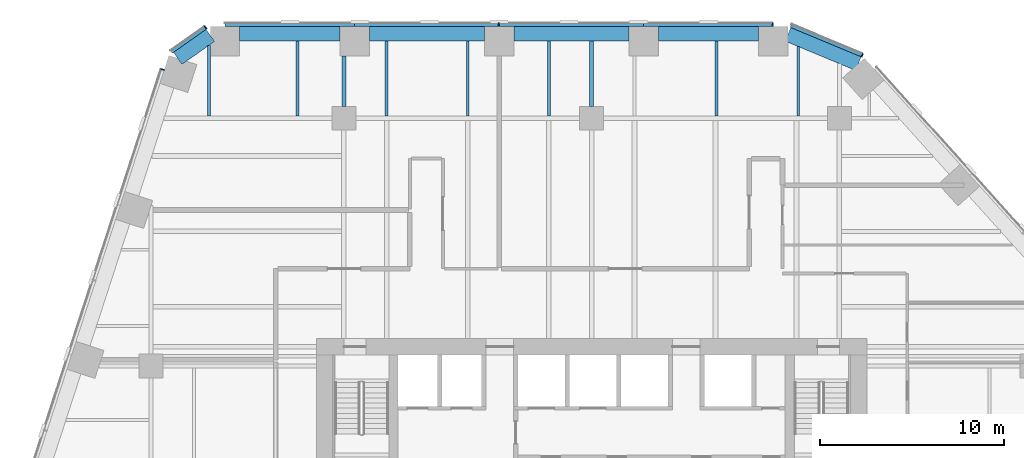
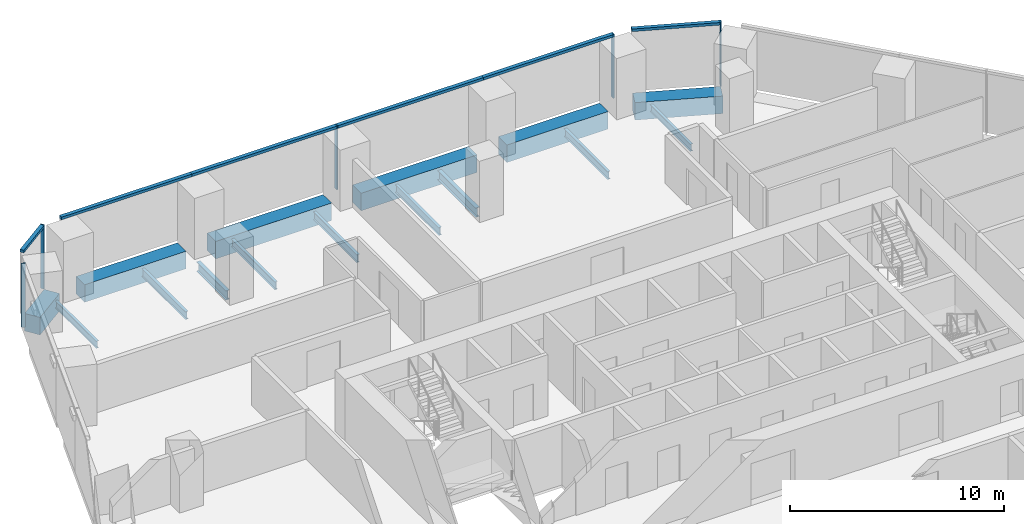
# One storey, part 12 of 21: 15 beams, 11 members, 4 elements without a shape of their own.
"""IFC4 building model written with IfcOpenShell, lengths in metres."""

from ifc_helpers import new_model, si_unit, direction, frame, origin, origin_2d, place, context, subcontext, project, spatial, rectangle, i_section, extrude, material, layer, layer_set, material_profile, profile_set, type_object, element, aggregate, save


model = new_model("IFC4")

# Units and contexts
model_context = context("Model", 3, precision=1e-05, world=origin(), true_north=direction((0.0, 1.0)))
body_context = subcontext(model_context, "Body", "Model", "MODEL_VIEW")
ifc_project = project(units=[si_unit("LENGTHUNIT", "METRE"), si_unit("AREAUNIT", "SQUARE_METRE"), si_unit("VOLUMEUNIT", "CUBIC_METRE"), si_unit("PLANEANGLEUNIT", "RADIAN"), si_unit("MASSUNIT", "GRAM", prefix="KILO")], contexts=[model_context])

# Site, building, storey
site_placement = place(None, origin())
site = spatial("IfcSite", under=ifc_project, at=site_placement, CompositionType="ELEMENT")
building_placement = place(site_placement, origin())
building = spatial("IfcBuilding", under=site, at=building_placement, Name="Isthmus Gate Tower", CompositionType="ELEMENT")
storey_placement = place(building_placement, frame((0.0, 0.0, 109.85009765625)))
storey = spatial("IfcBuildingStorey", under=building, at=storey_placement, Name="L26", CompositionType="ELEMENT", Elevation=109.85009765625)

# Curtain wall, members
ifc_material_1 = material(Name="Aluminium, pale champagne anodised", Category="aluminium")
ifc_layer = layer(ifc_material_1, 0.199951171875)
ifc_layer_set = layer_set([ifc_layer], Name="CW-1 UNITISED CURTAIN WALL 200 DEEP")
curtain_wall_type = type_object("IfcCurtainWallType", Name="CW-1 UNITISED CURTAIN WALL 200 DEEP", PredefinedType="NOTDEFINED", material=ifc_layer_set)
curtain_wall_1_placement = place(storey_placement, origin())
curtain_wall_1 = element("IfcCurtainWall", 1, at=curtain_wall_1_placement, inside=storey, type_object=curtain_wall_type, Name="CW-1 N L26", PredefinedType="NOTDEFINED")
ifc_material_2 = material(Name="Aluminium, pale champagne anodised", Category="aluminium")
ifc_material_profile_1 = material_profile(ifc_material_2, rectangle(XDim=0.06005859375, YDim=0.199951171875, at=origin_2d()), Name="60x200")
ifc_profile_set_1 = profile_set([ifc_material_profile_1], Name="Aluminium, pale champagne anodised")
member_type_1 = type_object("IfcMemberType", Name="CW-1 MULLION 60 X 200", PredefinedType="MULLION", material=ifc_profile_set_1)
member_1_placement = place(storey_placement, frame((9.871826171875, 32.10009765625, 0.0), z_axis=(0.0, 0.0, 1.0), x_axis=(-1.0, 0.0, 0.0)))
member_1 = element("IfcMember", 2, at=member_1_placement, type_object=member_type_1, Name="CW-1 mullion", PredefinedType="MULLION", context=body_context, shape_type="SweptSolid", body=[
    extrude(rectangle(XDim=0.06005859375, YDim=0.199951171875, at=origin_2d()), origin(), (0.0, 0.0, 1.0), 3.64990234375),
])
member_2_placement = place(storey_placement, frame((-5.067138671875, 32.10009765625, 0.0), z_axis=(0.0, 0.0, 1.0), x_axis=(-1.0, 0.0, 0.0)))
member_2 = element("IfcMember", 3, at=member_2_placement, type_object=member_type_1, Name="CW-1 mullion", PredefinedType="MULLION", context=body_context, shape_type="SweptSolid", body=[
    extrude(rectangle(XDim=0.06005859375, YDim=0.199951171875, at=origin_2d()), origin(), (0.0, 0.0, 1.0), 3.64990234375),
])

# Curtain wall, member
curtain_wall_2_placement = place(storey_placement, origin())
curtain_wall_2 = element("IfcCurtainWall", 4, at=curtain_wall_2_placement, inside=storey, type_object=curtain_wall_type, Name="CW-1 N-NW L26", PredefinedType="NOTDEFINED")
member_3_placement = place(storey_placement, frame((-21.031005859375, 31.943115234375, 0.0), z_axis=(0.0, 0.0, 1.0), x_axis=(-0.81785959165, -0.57541783805, 0.0)))
member_3 = element("IfcMember", 5, at=member_3_placement, type_object=member_type_1, Name="CW-1 mullion", PredefinedType="MULLION", context=body_context, shape_type="SweptSolid", body=[
    extrude(rectangle(XDim=0.06005859375, YDim=0.199951171875, at=origin_2d()), origin(), (0.0, 0.0, 1.0), 3.64990234375),
])

curtain_wall_3_placement = place(storey_placement, origin())
curtain_wall_3 = element("IfcCurtainWall", 6, at=curtain_wall_3_placement, inside=storey, type_object=curtain_wall_type, Name="CW-1 NW L26", PredefinedType="NOTDEFINED")
member_4_placement = place(storey_placement, frame((-23.380615234375, 29.656494140625, 0.0), z_axis=(0.0, 0.0, 1.0), x_axis=(-0.309016994375, -0.951056516295, 0.0)))
member_4 = element("IfcMember", 7, at=member_4_placement, type_object=member_type_1, Name="CW-1 mullion", PredefinedType="MULLION", context=body_context, shape_type="SweptSolid", body=[
    extrude(rectangle(XDim=0.06005859375, YDim=0.199951171875, at=origin_2d()), origin(), (0.0, 0.0, 1.0), 3.64990234375),
])
aggregate(curtain_wall_3, [member_4])

curtain_wall_4_placement = place(storey_placement, origin())
curtain_wall_4 = element("IfcCurtainWall", 8, at=curtain_wall_4_placement, inside=storey, type_object=curtain_wall_type, Name="CW-1 NE-N L26", PredefinedType="NOTDEFINED")
member_5_placement = place(storey_placement, frame((14.744140625, 30.427490234375, 0.0), z_axis=(0.0, 0.0, 1.0), x_axis=(-0.923353128387, 0.383951820282, 0.0)))
member_5 = element("IfcMember", 9, at=member_5_placement, type_object=member_type_1, Name="CW-1 mullion", PredefinedType="MULLION", context=body_context, shape_type="SweptSolid", body=[
    extrude(rectangle(XDim=0.06005859375, YDim=0.199951171875, at=origin_2d()), origin(), (0.0, 0.0, 1.0), 3.64990234375),
])

# Member
ifc_material_3 = material(Name="Aluminium, pale champagne anodised", Category="aluminium")
ifc_material_profile_2 = material_profile(ifc_material_3, rectangle(XDim=0.199951171875, YDim=0.14990234375, at=origin_2d()), Name="200x150")
ifc_profile_set_2 = profile_set([ifc_material_profile_2], Name="Aluminium, pale champagne anodised")
member_type_2 = type_object("IfcMemberType", Name="CW-1 TRANSOM 200 X 150", PredefinedType="USERDEFINED", material=ifc_profile_set_2)
member_6_placement = place(storey_placement, frame((9.841796875, 32.10009765625, 3.574951171875), z_axis=(-1.0, 0.0, 0.0), x_axis=(0.0, -1.0, 0.0)))
member_6 = element("IfcMember", 10, at=member_6_placement, type_object=member_type_2, Name="CW-1 transom", ObjectType="TRANSOM", PredefinedType="USERDEFINED", context=body_context, shape_type="SweptSolid", body=[
    extrude(rectangle(XDim=0.199951171875, YDim=0.14990234375, at=origin_2d()), origin(), (0.0, 0.0, 1.0), 7.009521484375),
])

member_7_placement = place(storey_placement, frame((2.832275390625, 32.10009765625, 3.574951171875), z_axis=(-1.0, 0.0, 0.0), x_axis=(0.0, -1.0, 0.0)))
member_7 = element("IfcMember", 11, at=member_7_placement, type_object=member_type_2, Name="CW-1 transom", ObjectType="TRANSOM", PredefinedType="USERDEFINED", context=body_context, shape_type="SweptSolid", body=[
    extrude(rectangle(XDim=0.199951171875, YDim=0.14990234375, at=origin_2d()), origin(), (0.0, 0.0, 1.0), 7.869384765625),
])

member_8_placement = place(storey_placement, frame((-5.09716796875, 32.10009765625, 3.574951171875), z_axis=(-1.0, 0.0, 0.0), x_axis=(0.0, -1.0, 0.0)))
member_8 = element("IfcMember", 12, at=member_8_placement, type_object=member_type_2, Name="CW-1 transom", ObjectType="TRANSOM", PredefinedType="USERDEFINED", context=body_context, shape_type="SweptSolid", body=[
    extrude(rectangle(XDim=0.199951171875, YDim=0.14990234375, at=origin_2d()), origin(), (0.0, 0.0, 1.0), 7.8095703125),
])

member_9_placement = place(storey_placement, frame((-12.90673828125, 32.10009765625, 3.574951171875), z_axis=(-1.0, 0.0, 0.0), x_axis=(0.0, -1.0, 0.0)))
member_9 = element("IfcMember", 13, at=member_9_placement, type_object=member_type_2, Name="CW-1 transom", ObjectType="TRANSOM", PredefinedType="USERDEFINED", context=body_context, shape_type="SweptSolid", body=[
    extrude(rectangle(XDim=0.199951171875, YDim=0.14990234375, at=origin_2d()), origin(), (0.0, 0.0, 1.0), 7.069580078125),
])

aggregate(curtain_wall_1, [member_1, member_6, member_7, member_2, member_8, member_9])

member_10_placement = place(storey_placement, frame((-21.055419921875, 31.92578125, 3.574951171875), z_axis=(-0.817868595604, -0.575405040233, 0.0), x_axis=(0.575405040233, -0.817868595604, 0.0)))
member_10 = element("IfcMember", 14, at=member_10_placement, type_object=member_type_2, Name="CW-1 transom", ObjectType="TRANSOM", PredefinedType="USERDEFINED", context=body_context, shape_type="SweptSolid", body=[
    extrude(rectangle(XDim=0.199951171875, YDim=0.14990234375, at=origin_2d()), origin(), (0.0, 0.0, 1.0), 2.258544921875),
])

aggregate(curtain_wall_2, [member_3, member_10])

member_11_placement = place(storey_placement, frame((14.716552734375, 30.43896484375, 3.574951171875), z_axis=(-0.923358236369, 0.383939536033, 0.0), x_axis=(-0.383939536033, -0.923358236369, 0.0)))
member_11 = element("IfcMember", 15, at=member_11_placement, type_object=member_type_2, Name="CW-1 transom", ObjectType="TRANSOM", PredefinedType="USERDEFINED", context=body_context, shape_type="SweptSolid", body=[
    extrude(rectangle(XDim=0.199951171875, YDim=0.14990234375, at=origin_2d()), origin(), (0.0, 0.0, 1.0), 4.181640625),
])

aggregate(curtain_wall_4, [member_5, member_11])

# Beams
ifc_material_4 = material(Name="Concrete f'c 70 MPa", Category="concrete")
ifc_material_profile_3 = material_profile(ifc_material_4, rectangle(XDim=0.800048828125, YDim=1.0, at=origin_2d()), Name="RC 800X1000")
ifc_profile_set_3 = profile_set([ifc_material_profile_3], Name="Concrete f'c 70 MPa")
beam_type_1 = type_object("IfcBeamType", Name="RC SPANDREL 800 X 1000", PredefinedType="SPANDREL", material=ifc_profile_set_3)
beam_1_placement = place(storey_placement, frame((10.701904296875, 31.56689453125, -0.5), z_axis=(0.923334166719, -0.383997417399, 0.0), x_axis=(0.383997417399, 0.923334166719, 0.0)))
element("IfcBeam", 16, at=beam_1_placement, inside=storey, type_object=beam_type_1, Name="str-spandrel-L26-00", PredefinedType="SPANDREL", context=body_context, shape_type="SweptSolid", body=[
    extrude(rectangle(XDim=0.800048828125, YDim=1.0, at=origin_2d()), origin(), (0.0, 0.0, 1.0), 4.15234375),
])
beam_2_placement = place(storey_placement, frame((-22.553466796875, 30.260498046875, -0.5), z_axis=(0.817857331203, 0.575421050882, 0.0), x_axis=(-0.575421050882, 0.817857331203, 0.0)))
element("IfcBeam", 17, at=beam_2_placement, inside=storey, type_object=beam_type_1, Name="str-spandrel-L26-22", PredefinedType="SPANDREL", context=body_context, shape_type="SweptSolid", body=[
    extrude(rectangle(XDim=0.800048828125, YDim=1.0, at=origin_2d()), origin(), (0.0, 0.0, 1.0), 2.173095703125),
])
beam_3_placement = place(storey_placement, frame((-19.17626953125, 31.60009765625, -0.5), z_axis=(1.0, 0.0, 0.0), x_axis=(0.0, 1.0, 0.0)))
element("IfcBeam", 18, at=beam_3_placement, inside=storey, type_object=beam_type_1, Name="str-spandrel-L26-23", PredefinedType="SPANDREL", context=body_context, shape_type="SweptSolid", body=[
    extrude(rectangle(XDim=0.800048828125, YDim=1.0, at=origin_2d()), origin(), (0.0, 0.0, 1.0), 5.469482421875),
])
for number, where, z_axis, x_axis, name in (
    (19, (-12.106689453125, 31.60009765625, -0.5), (1.0, 0.0, 0.0), (0.0, 1.0, 0.0), "str-spandrel-L26-24"),
    (20, (-4.2373046875, 31.60009765625, -0.5), (1.0, 0.0, 0.0), (0.0, 1.0, 0.0), "str-spandrel-L26-25"),
):
    element("IfcBeam", number, at=place(storey_placement, frame(where, z_axis=z_axis, x_axis=x_axis)), inside=storey, type_object=beam_type_1, Name=name, PredefinedType="SPANDREL", context=body_context, shape_type="SweptSolid", body=[
        extrude(rectangle(XDim=0.800048828125, YDim=1.0, at=origin_2d()), origin(), (0.0, 0.0, 1.0), 6.26953125),
    ])
beam_4_placement = place(storey_placement, frame((3.63232421875, 31.60009765625, -0.5), z_axis=(1.0, 0.0, 0.0), x_axis=(0.0, 1.0, 0.0)))
element("IfcBeam", 21, at=beam_4_placement, inside=storey, type_object=beam_type_1, Name="str-spandrel-L26-26", PredefinedType="SPANDREL", context=body_context, shape_type="SweptSolid", body=[
    extrude(rectangle(XDim=0.800048828125, YDim=1.0, at=origin_2d()), origin(), (0.0, 0.0, 1.0), 5.469482421875),
])
ifc_material_5 = material(Name="Structural steel ASTM A992 Gr 50", Category="steel")
ifc_material_profile_4 = material_profile(ifc_material_5, i_section(OverallWidth=0.1396484375, OverallDepth=0.4033203125, WebThickness=0.00634765625, FlangeThickness=0.010986328125, at=origin_2d()), Name="W16X31")
ifc_profile_set_4 = profile_set([ifc_material_profile_4], Name="Structural steel ASTM A992 Gr 50")
beam_type_2 = type_object("IfcBeamType", Name="STEEL FLOOR BEAM W16X31", PredefinedType="JOIST", material=ifc_profile_set_4)
beam_5_placement = place(storey_placement, frame((-20.846435546875, 27.1142578125, -0.351806640625), z_axis=(0.0, 1.0, 0.0), x_axis=(-1.0, 0.0, 0.0)))
element("IfcBeam", 22, at=beam_5_placement, inside=storey, type_object=beam_type_2, Name="str-beam-L26-09-00", PredefinedType="JOIST", context=body_context, shape_type="SweptSolid", body=[
    extrude(i_section(OverallWidth=0.1396484375, OverallDepth=0.4033203125, WebThickness=0.00634765625, FlangeThickness=0.010986328125, at=origin_2d()), origin(), (0.0, 0.0, 1.0), 3.858154296875),
])
beam_6_placement = place(storey_placement, frame((11.267578125, 27.1318359375, -0.351806640625), z_axis=(0.0, 1.0, 0.0), x_axis=(-1.0, 0.0, 0.0)))
element("IfcBeam", 23, at=beam_6_placement, inside=storey, type_object=beam_type_2, Name="str-beam-L26-20-02", PredefinedType="JOIST", context=body_context, shape_type="SweptSolid", body=[
    extrude(i_section(OverallWidth=0.1396484375, OverallDepth=0.4033203125, WebThickness=0.00634765625, FlangeThickness=0.010986328125, at=origin_2d()), origin(), (0.0, 0.0, 1.0), 3.7666015625),
])
ifc_material_6 = material(Name="Structural steel ASTM A992 Gr 50", Category="steel")
ifc_material_profile_5 = material_profile(ifc_material_6, i_section(OverallWidth=0.15234375, OverallDepth=0.45068359375, WebThickness=0.0078125, FlangeThickness=0.010986328125, at=origin_2d()), Name="W18X35")
ifc_profile_set_5 = profile_set([ifc_material_profile_5], Name="Structural steel ASTM A992 Gr 50")
beam_type_3 = type_object("IfcBeamType", Name="STEEL FLOOR BEAM W18X35", PredefinedType="JOIST", material=ifc_profile_set_5)
beam_7_placement = place(storey_placement, frame((-16.0185546875, 27.1142578125, -0.37548828125), z_axis=(0.0, 1.0, 0.0), x_axis=(-1.0, 0.0, 0.0)))
element("IfcBeam", 24, at=beam_7_placement, inside=storey, type_object=beam_type_3, Name="str-beam-L26-09-01", PredefinedType="JOIST", context=body_context, shape_type="SweptSolid", body=[
    extrude(i_section(OverallWidth=0.15234375, OverallDepth=0.45068359375, WebThickness=0.0078125, FlangeThickness=0.010986328125, at=origin_2d()), origin(), (0.0, 0.0, 1.0), 4.085693359375),
])
for number, where, z_axis, x_axis, name in (
    (25, (-11.18017578125, 27.1318359375, -0.37548828125), (0.0, 1.0, 0.0), (-1.0, 0.0, 0.0), "str-beam-L26-15-00"),
    (26, (-6.75, 27.1318359375, -0.37548828125), (0.0, 1.0, 0.0), (-1.0, 0.0, 0.0), "str-beam-L26-15-01"),
    (27, (-2.31982421875, 27.1318359375, -0.37548828125), (0.0, 1.0, 0.0), (-1.0, 0.0, 0.0), "str-beam-L26-15-02"),
    (28, (6.802490234375, 27.1318359375, -0.37548828125), (0.0, 1.0, 0.0), (-1.0, 0.0, 0.0), "str-beam-L26-20-01"),
):
    element("IfcBeam", number, at=place(storey_placement, frame(where, z_axis=z_axis, x_axis=x_axis)), inside=storey, type_object=beam_type_3, Name=name, PredefinedType="JOIST", context=body_context, shape_type="SweptSolid", body=[
        extrude(i_section(OverallWidth=0.15234375, OverallDepth=0.45068359375, WebThickness=0.0078125, FlangeThickness=0.010986328125, at=origin_2d()), origin(), (0.0, 0.0, 1.0), 4.068115234375),
    ])
ifc_material_7 = material(Name="Structural steel ASTM A992 Gr 50", Category="steel")
ifc_material_profile_6 = material_profile(ifc_material_7, i_section(OverallWidth=0.20947265625, OverallDepth=0.533447265625, WebThickness=0.009521484375, FlangeThickness=0.015869140625, at=origin_2d()), Name="W21X62")
ifc_profile_set_6 = profile_set([ifc_material_profile_6], Name="Structural steel ASTM A992 Gr 50")
beam_type_4 = type_object("IfcBeamType", Name="STEEL GIRDER W21X62", PredefinedType="BEAM", material=ifc_profile_set_6)
beam_8_placement = place(storey_placement, frame((-13.5, 27.64990234375, -0.416748046875), z_axis=(0.0, 1.0, 0.0), x_axis=(-1.0, 0.0, 0.0)))
element("IfcBeam", 29, at=beam_8_placement, inside=storey, type_object=beam_type_4, Name="str-girder-L26-28", PredefinedType="BEAM", context=body_context, shape_type="SweptSolid", body=[
    extrude(i_section(OverallWidth=0.20947265625, OverallDepth=0.533447265625, WebThickness=0.009521484375, FlangeThickness=0.015869140625, at=origin_2d()), origin(), (0.0, 0.0, 1.0), 2.75),
])
beam_9_placement = place(storey_placement, frame((0.0, 27.64990234375, -0.416748046875), z_axis=(0.0, 1.0, 0.0), x_axis=(-1.0, 0.0, 0.0)))
element("IfcBeam", 30, at=beam_9_placement, inside=storey, type_object=beam_type_4, Name="str-girder-L26-31", PredefinedType="BEAM", context=body_context, shape_type="SweptSolid", body=[
    extrude(i_section(OverallWidth=0.20947265625, OverallDepth=0.533447265625, WebThickness=0.009521484375, FlangeThickness=0.015869140625, at=origin_2d()), origin(), (0.0, 0.0, 1.0), 3.550048828125),
])

save(model, "model.ifc")
